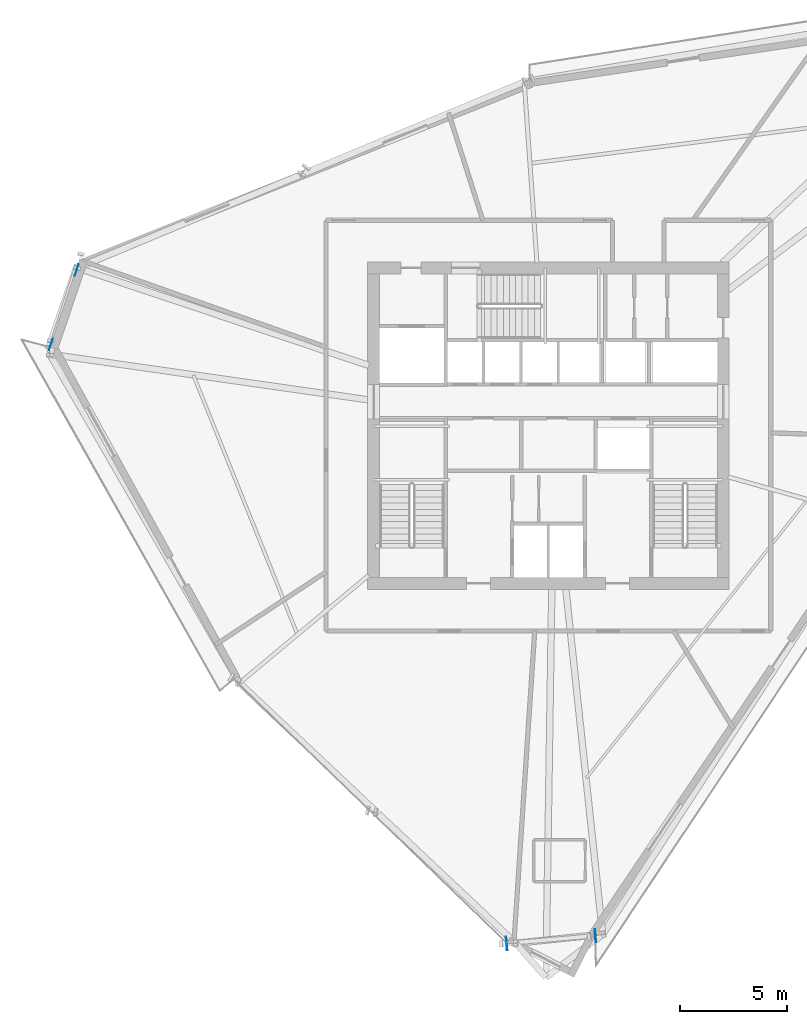
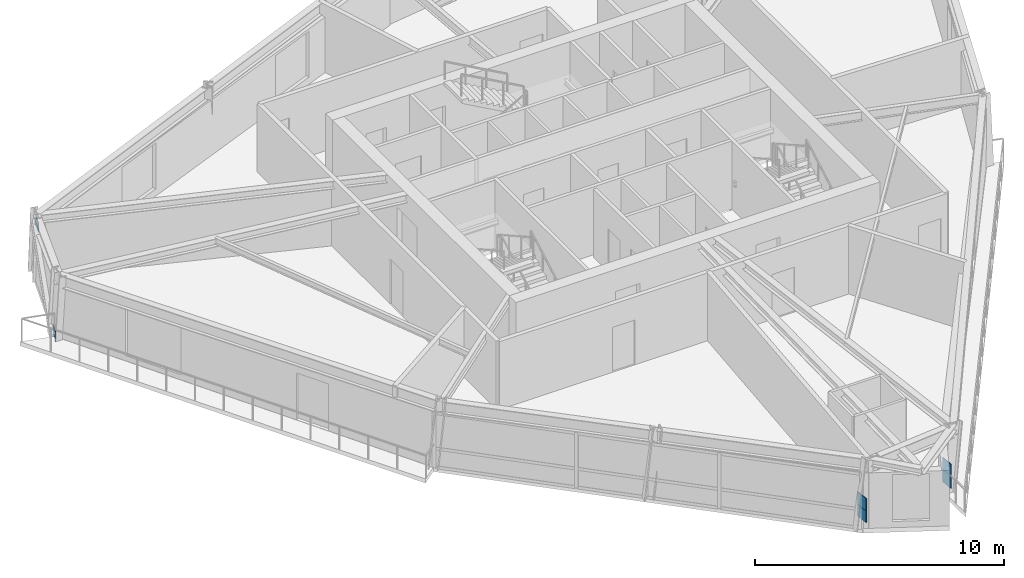
# One storey, part 6 of 13: 6 plates.
"""IFC4 building model written with IfcOpenShell, lengths in metres."""

import ifcopenshell
import ifcopenshell.guid

model = None  # the IFC model being written
_history = None  # IfcOwnerHistory: only IFC2X3 demands one
_inside = {}  # id of a spatial element -> (the spatial element, [elements in it])
_under = {}  # id of a project, library or spatial element -> (it, [spatial elements below it])
_declared = {}  # id of a project -> (the project, [libraries it declares])
_typed = {}  # id of a type object -> (the type object, [elements of that type])
_made_of = {}  # id of a material, layer set ... -> (it, [elements and type objects made of it])


def new_model(schema):
    """Start an empty IFC model of exactly this schema.

    Asked for "IFC4X3", IfcOpenShell would pick the latest addendum, in which some entities
    have other attributes; the version numbers below select the first issue.
    IFC2X3 requires an IfcOwnerHistory on every rooted entity: one is made here for all.
    """
    global model, _history
    if schema == "IFC4X3":
        model = ifcopenshell.file(schema_version=(4, 3, 0, 0))
    else:
        model = ifcopenshell.file(schema=schema)
    _inside.clear()
    _under.clear()
    _declared.clear()
    _typed.clear()
    _made_of.clear()
    _history = None
    if model.schema == "IFC2X3":
        org = make("IfcOrganization", Name="unknown")
        user = make(
            "IfcPersonAndOrganization",
            ThePerson=make("IfcPerson", FamilyName="unknown"),
            TheOrganization=org,
        )
        app = make(
            "IfcApplication",
            ApplicationDeveloper=org,
            Version="unknown",
            ApplicationFullName="unknown",
            ApplicationIdentifier="unknown",
        )
        _history = make(
            "IfcOwnerHistory",
            OwningUser=user,
            OwningApplication=app,
            ChangeAction="ADDED",
            CreationDate=0,
        )
    return model


def make(cls, **values):
    """One entity of the class cls with the attributes given. An attribute that is None is left unset."""
    return model.create_entity(
        cls, **{name: value for name, value in values.items() if value is not None}
    )


def rooted(cls, **values):
    """An entity with a GlobalId (a new one), such as an element, a storey or a relation."""
    return make(cls, GlobalId=ifcopenshell.guid.new(), OwnerHistory=_history, **values)


def si_unit(unit_type, name, prefix=None):
    """IfcSIUnit, for example si_unit("LENGTHUNIT", "METRE", prefix="MILLI")."""
    return make("IfcSIUnit", UnitType=unit_type, Prefix=prefix, Name=name)


def assignment(units):
    """IfcUnitAssignment: the units of a project."""
    return None if units is None else make("IfcUnitAssignment", Units=units)


def point(xyz):
    """IfcCartesianPoint."""
    return None if xyz is None else make("IfcCartesianPoint", Coordinates=xyz)


def direction(xyz):
    """IfcDirection."""
    return None if xyz is None else make("IfcDirection", DirectionRatios=xyz)


def frame(location, z_axis=None, x_axis=None):
    """IfcAxis2Placement3D, a coordinate frame: its origin and axes. An axis left out is left unset."""
    return make(
        "IfcAxis2Placement3D",
        Location=point(location),
        Axis=direction(z_axis),
        RefDirection=direction(x_axis),
    )


def frame_2d(location, x_axis=None):
    """IfcAxis2Placement2D, a coordinate frame in the plane: its origin and x axis."""
    return make(
        "IfcAxis2Placement2D", Location=point(location), RefDirection=direction(x_axis)
    )


def origin():
    """The frame at (0, 0, 0) with its axes left unset."""
    return frame((0.0, 0.0, 0.0))


def origin_2d():
    """The frame at (0, 0) in the plane with its x axis left unset."""
    return frame_2d((0.0, 0.0))


def place(relative_to, where):
    """IfcLocalPlacement: puts the frame where relative to a parent placement (None: the world)."""
    return make(
        "IfcLocalPlacement", PlacementRelTo=relative_to, RelativePlacement=where
    )


def context(
    kind, dimensions, precision=None, world=None, true_north=None, identifier=None
):
    """IfcGeometricRepresentationContext, for example the 3D "Model" context."""
    return make(
        "IfcGeometricRepresentationContext",
        ContextIdentifier=identifier,
        ContextType=kind,
        CoordinateSpaceDimension=dimensions,
        Precision=precision,
        WorldCoordinateSystem=world,
        TrueNorth=true_north,
    )


def subcontext(parent, identifier, kind, view, scale=None):
    """IfcGeometricRepresentationSubContext, for example "Body" below "Model"."""
    return make(
        "IfcGeometricRepresentationSubContext",
        ContextIdentifier=identifier,
        ContextType=kind,
        ParentContext=parent,
        TargetScale=scale,
        TargetView=view,
    )


def project(units=None, contexts=None):
    """IfcProject with its units and contexts."""
    return rooted(
        "IfcProject",
        Name="project",
        RepresentationContexts=contexts,
        UnitsInContext=assignment(units),
    )


def spatial(cls, under=None, at=None, **own):
    """A site, building, storey or space (cls), placed at a placement, below another one or the project."""
    s = rooted(cls, ObjectPlacement=at, **own)
    if under is not None:
        _under.setdefault(under.id(), (under, []))[1].append(s)
    return s


def profile(cls, at=None, kind="AREA", **sizes):
    """A parametric profile (cls). Its sizes go by their IFC names, for example OverallWidth=200.0."""
    return make(cls, ProfileType=kind, Position=at, **sizes)


def rectangle(**sizes):
    """IfcRectangleProfileDef."""
    return profile("IfcRectangleProfileDef", **sizes)


def extrude(swept, where, along, depth):
    """IfcExtrudedAreaSolid: the profile swept, set in the frame where, extruded along a direction by depth."""
    return make(
        "IfcExtrudedAreaSolid",
        SweptArea=swept,
        Position=where,
        ExtrudedDirection=direction(along),
        Depth=depth,
    )


def shape(context_of_items, identifier, shape_type, items):
    """IfcShapeRepresentation: the items that make up one representation, for example the "Body"."""
    return make(
        "IfcShapeRepresentation",
        ContextOfItems=context_of_items,
        RepresentationIdentifier=identifier,
        RepresentationType=shape_type,
        Items=items,
    )


def source(mapping_origin, context_of_items, identifier, shape_type, items):
    """IfcRepresentationMap: a shape defined once, which mapped items show again and again."""
    return make(
        "IfcRepresentationMap",
        MappingOrigin=mapping_origin,
        MappedRepresentation=shape(context_of_items, identifier, shape_type, items),
    )


def transform(
    local_origin,
    x_axis=None,
    y_axis=None,
    z_axis=None,
    scale=None,
    scale2=None,
    scale3=None,
    uniform=True,
):
    """IfcCartesianTransformationOperator3D, or its non-uniform kind. x_axis, y_axis, z_axis: its Axis1, 2, 3."""
    if uniform:
        return make(
            "IfcCartesianTransformationOperator3D",
            Axis1=direction(x_axis),
            Axis2=direction(y_axis),
            LocalOrigin=point(local_origin),
            Scale=scale,
            Axis3=direction(z_axis),
        )
    return make(
        "IfcCartesianTransformationOperator3DnonUniform",
        Axis1=direction(x_axis),
        Axis2=direction(y_axis),
        LocalOrigin=point(local_origin),
        Scale=scale,
        Axis3=direction(z_axis),
        Scale2=scale2,
        Scale3=scale3,
    )


def mapped(mapping_source, mapping_target):
    """IfcMappedItem: shows the shape of a source again, moved by a transform."""
    return make(
        "IfcMappedItem", MappingSource=mapping_source, MappingTarget=mapping_target
    )


def material(Name=None, Category=None):
    """IfcMaterial."""
    return make("IfcMaterial", Name=Name, Category=Category)


def made_of(thing, what):
    """Note that an element or type object is made of a material, layer set ...; save() writes the relation."""
    if what is not None:
        _made_of.setdefault(what.id(), (what, []))[1].append(thing)
    return thing


def type_object(cls, material=None, **own):
    """A type object (cls), such as IfcWallType, which elements share."""
    return made_of(rooted(cls, **own), material)


def element(
    cls,
    number,
    at=None,
    inside=None,
    cuts=None,
    type_object=None,
    material=None,
    context=None,
    identifier="Body",
    shape_type=None,
    held_by="IfcProductDefinitionShape",
    body=None,
    shapes=None,
    **own,
):
    """One element of the class cls, such as IfcWall. Its Tag is "e" and its number.

    at: its placement. inside: the storey or other place that contains it. cuts: it is an
    opening in that element (IfcRelVoidsElement). A single representation is given by context,
    identifier, shape_type and body (its items); several are given by shapes. held_by: the class
    of the entity that holds the representations. save() writes the other relations.
    """
    e = rooted(cls, Tag="e%d" % number, ObjectPlacement=at, **own)
    if body is not None:
        shapes = [shape(context, identifier, shape_type, body)]
    if shapes is not None:
        e.Representation = make(held_by, Representations=shapes)
    if inside is not None:
        _inside.setdefault(inside.id(), (inside, []))[1].append(e)
    if cuts is not None:
        rooted(
            "IfcRelVoidsElement", RelatingBuildingElement=cuts, RelatedOpeningElement=e
        )
    if type_object is not None:
        _typed.setdefault(type_object.id(), (type_object, []))[1].append(e)
    return made_of(e, material)


def aggregate(whole, parts):
    """IfcRelAggregates: a whole, such as a stair, and the parts it consists of."""
    return rooted("IfcRelAggregates", RelatingObject=whole, RelatedObjects=parts)


def save(model, path):
    """Write the relations noted so far, then the file.

    IfcRelAggregates (storeys below a building ...), IfcRelContainedInSpatialStructure (elements
    in a storey), IfcRelDefinesByType, IfcRelAssociatesMaterial and IfcRelDeclares: one each for
    every whole, place, type object, material and project.
    """
    for whole, parts in _under.values():
        aggregate(whole, parts)
    for where, things in _inside.values():
        rooted(
            "IfcRelContainedInSpatialStructure",
            RelatedElements=things,
            RelatingStructure=where,
        )
    for kind, things in _typed.values():
        rooted("IfcRelDefinesByType", RelatedObjects=things, RelatingType=kind)
    for what, things in _made_of.values():
        rooted("IfcRelAssociatesMaterial", RelatedObjects=things, RelatingMaterial=what)
    for by, libraries in _declared.values():
        rooted("IfcRelDeclares", RelatingContext=by, RelatedDefinitions=libraries)
    model.write(path)


model = new_model("IFC4")

# Units and contexts
model_context = context("Model", 3, precision=1e-05, world=origin(), true_north=direction((0.0, 1.0)))
body_context = subcontext(model_context, "Body", "Model", "MODEL_VIEW")
ifc_project = project(units=[si_unit("LENGTHUNIT", "METRE"), si_unit("AREAUNIT", "SQUARE_METRE"), si_unit("VOLUMEUNIT", "CUBIC_METRE"), si_unit("PLANEANGLEUNIT", "RADIAN"), si_unit("MASSUNIT", "GRAM", prefix="KILO")], contexts=[model_context])

# Site, building, storey
site_placement = place(None, origin())
site = spatial("IfcSite", under=ifc_project, at=site_placement, CompositionType="ELEMENT")
building_placement = place(site_placement, origin())
building = spatial("IfcBuilding", under=site, at=building_placement, Name="Olszyna Solenne Hotel", CompositionType="ELEMENT")
storey_placement = place(building_placement, frame((0.0, 0.0, 192.75)))
storey = spatial("IfcBuildingStorey", under=building, at=storey_placement, Name="L51", CompositionType="ELEMENT", Elevation=192.75)

# Plates
ifc_material_1 = material(Name="Steel S460M", Category="steel")
plate_type_1 = type_object("IfcPlateType", Name="GP-CAP2", PredefinedType="USERDEFINED", material=ifc_material_1)
shared_shape_1 = source(origin(), body_context, "Body", "SweptSolid", [
    extrude(rectangle(XDim=0.030029296875, YDim=0.6201171875, at=origin_2d()), origin(), (0.0, 0.0, 1.0), 0.6201171875),
])
for number, where, z_axis, x_axis, name in (
    (1, (36.049560546875, 2.38916015625, 1.0400390625), (0.0, 0.0, 1.0), (0.996194698092, 0.087155742748, 0.0), "Hollow section end-cap plate GP-CAP2 CP-PR-M-L51-PR1-1"),
    (2, (40.201171875, 2.75244140625, 1.0400390625), (0.0, 0.0, 1.0), (0.996194698092, 0.087155742748, 0.0), "Hollow section end-cap plate GP-CAP2 CP-PR-M-L51-PR1-2"),
    (3, (36.049560546875, 2.38916015625, 0.469970703125), (0.0, 0.0, 1.0), (0.996194698092, 0.087155742748, 0.0), "Hollow section end-cap plate GP-CAP2 CP-PR-M-L51-PR2-1"),
    (4, (40.201171875, 2.75244140625, 0.469970703125), (0.0, 0.0, 1.0), (0.996194698092, 0.087155742748, 0.0), "Hollow section end-cap plate GP-CAP2 CP-PR-M-L51-PR2-2"),
):
    element("IfcPlate", number, at=place(storey_placement, frame(where, z_axis=z_axis, x_axis=x_axis)), inside=storey, type_object=plate_type_1, Name=name, ObjectType="GUSSET_PLATE", PredefinedType="USERDEFINED", context=body_context, shape_type="MappedRepresentation", body=[
        mapped(shared_shape_1, transform((0.0, 0.0, 0.0), x_axis=(1.0, 0.0, 0.0), y_axis=(0.0, 1.0, 0.0), z_axis=(0.0, 0.0, 1.0), scale=1.0)),
    ])
ifc_material_2 = material(Name="Steel S355J2", Category="steel")
plate_type_2 = type_object("IfcPlateType", Name="GP-ND2", PredefinedType="USERDEFINED", material=ifc_material_2)
shared_shape_2 = source(origin(), body_context, "Body", "SweptSolid", [
    extrude(rectangle(XDim=0.56005859375, YDim=0.02001953125, at=origin_2d()), origin(), (0.0, 0.0, 1.0), 0.47998046875),
])
for number, where, z_axis, x_axis, name in (
    (5, (14.73486328125, 30.38916015625, -0.144775390625), (0.0, 0.0, 1.0), (0.327877517976, 0.944720240709, 0.0), "Brace end connection gusset plate GP-ND2 EP-BR-L51-2-1"),
    (6, (15.943603515625, 33.8720703125, 2.6748046875), (0.0, 0.0, 1.0), (0.327877517976, 0.944720240709, 0.0), "Brace end connection gusset plate GP-ND2 EP-BR-L51-2-2"),
):
    element("IfcPlate", number, at=place(storey_placement, frame(where, z_axis=z_axis, x_axis=x_axis)), inside=storey, type_object=plate_type_2, Name=name, ObjectType="GUSSET_PLATE", PredefinedType="USERDEFINED", context=body_context, shape_type="MappedRepresentation", body=[
        mapped(shared_shape_2, transform((0.0, 0.0, 0.0), x_axis=(1.0, 0.0, 0.0), y_axis=(0.0, 1.0, 0.0), z_axis=(0.0, 0.0, 1.0), scale=1.0)),
    ])

save(model, "model.ifc")
